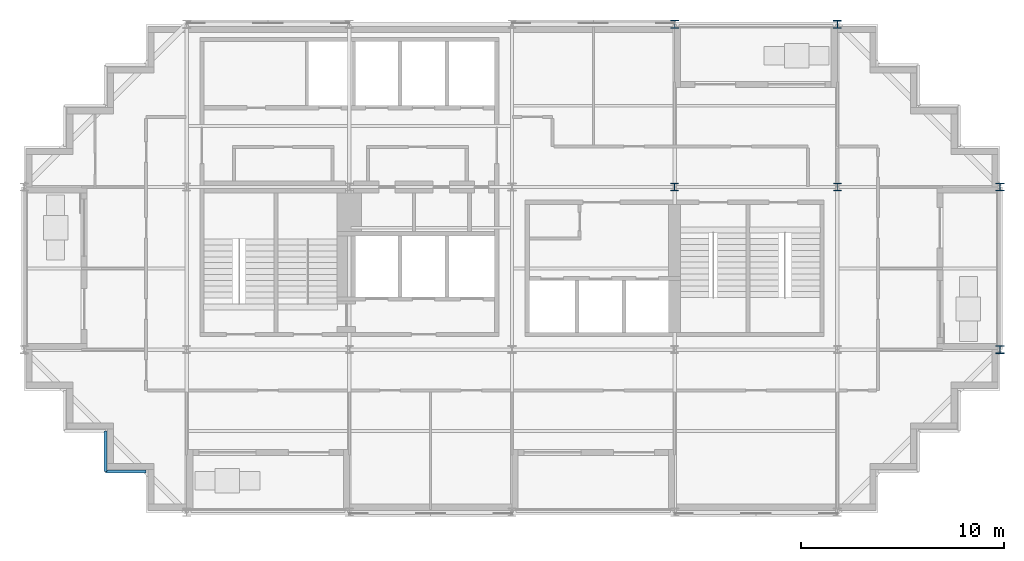
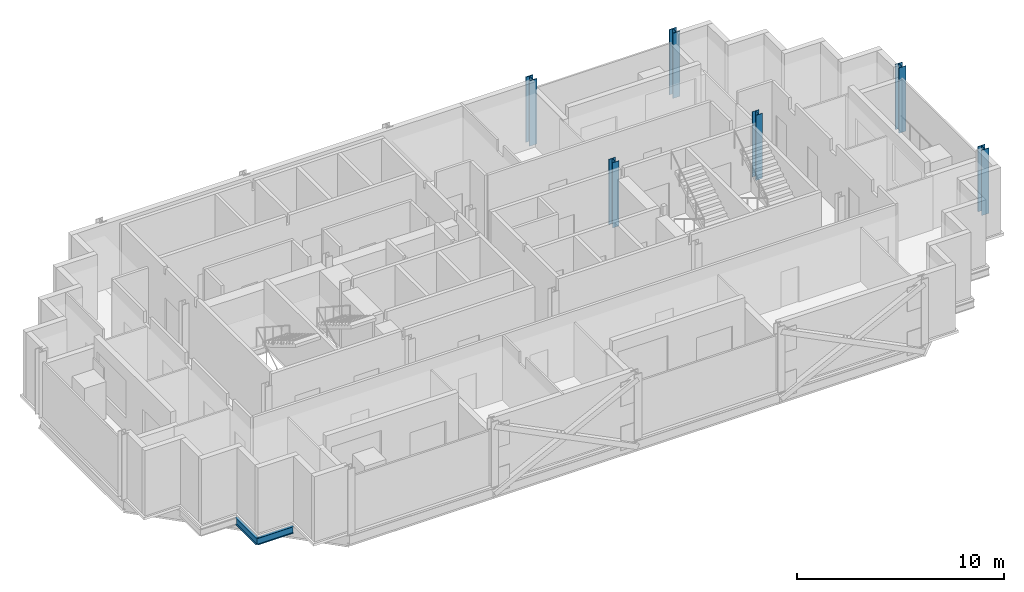
# One storey, part 2 of 10: 6 columns, 2 beams.
"""IFC4 building model written with IfcOpenShell, lengths in metres."""

import ifcopenshell
import ifcopenshell.guid

model = None  # the IFC model being written
_history = None  # IfcOwnerHistory: only IFC2X3 demands one
_inside = {}  # id of a spatial element -> (the spatial element, [elements in it])
_under = {}  # id of a project, library or spatial element -> (it, [spatial elements below it])
_declared = {}  # id of a project -> (the project, [libraries it declares])
_typed = {}  # id of a type object -> (the type object, [elements of that type])
_made_of = {}  # id of a material, layer set ... -> (it, [elements and type objects made of it])


def new_model(schema):
    """Start an empty IFC model of exactly this schema.

    Asked for "IFC4X3", IfcOpenShell would pick the latest addendum, in which some entities
    have other attributes; the version numbers below select the first issue.
    IFC2X3 requires an IfcOwnerHistory on every rooted entity: one is made here for all.
    """
    global model, _history
    if schema == "IFC4X3":
        model = ifcopenshell.file(schema_version=(4, 3, 0, 0))
    else:
        model = ifcopenshell.file(schema=schema)
    _inside.clear()
    _under.clear()
    _declared.clear()
    _typed.clear()
    _made_of.clear()
    _history = None
    if model.schema == "IFC2X3":
        org = make("IfcOrganization", Name="unknown")
        user = make(
            "IfcPersonAndOrganization",
            ThePerson=make("IfcPerson", FamilyName="unknown"),
            TheOrganization=org,
        )
        app = make(
            "IfcApplication",
            ApplicationDeveloper=org,
            Version="unknown",
            ApplicationFullName="unknown",
            ApplicationIdentifier="unknown",
        )
        _history = make(
            "IfcOwnerHistory",
            OwningUser=user,
            OwningApplication=app,
            ChangeAction="ADDED",
            CreationDate=0,
        )
    return model


def make(cls, **values):
    """One entity of the class cls with the attributes given. An attribute that is None is left unset."""
    return model.create_entity(
        cls, **{name: value for name, value in values.items() if value is not None}
    )


def rooted(cls, **values):
    """An entity with a GlobalId (a new one), such as an element, a storey or a relation."""
    return make(cls, GlobalId=ifcopenshell.guid.new(), OwnerHistory=_history, **values)


def si_unit(unit_type, name, prefix=None):
    """IfcSIUnit, for example si_unit("LENGTHUNIT", "METRE", prefix="MILLI")."""
    return make("IfcSIUnit", UnitType=unit_type, Prefix=prefix, Name=name)


def assignment(units):
    """IfcUnitAssignment: the units of a project."""
    return None if units is None else make("IfcUnitAssignment", Units=units)


def point(xyz):
    """IfcCartesianPoint."""
    return None if xyz is None else make("IfcCartesianPoint", Coordinates=xyz)


def direction(xyz):
    """IfcDirection."""
    return None if xyz is None else make("IfcDirection", DirectionRatios=xyz)


def frame(location, z_axis=None, x_axis=None):
    """IfcAxis2Placement3D, a coordinate frame: its origin and axes. An axis left out is left unset."""
    return make(
        "IfcAxis2Placement3D",
        Location=point(location),
        Axis=direction(z_axis),
        RefDirection=direction(x_axis),
    )


def frame_2d(location, x_axis=None):
    """IfcAxis2Placement2D, a coordinate frame in the plane: its origin and x axis."""
    return make(
        "IfcAxis2Placement2D", Location=point(location), RefDirection=direction(x_axis)
    )


def origin():
    """The frame at (0, 0, 0) with its axes left unset."""
    return frame((0.0, 0.0, 0.0))


def origin_2d():
    """The frame at (0, 0) in the plane with its x axis left unset."""
    return frame_2d((0.0, 0.0))


def place(relative_to, where):
    """IfcLocalPlacement: puts the frame where relative to a parent placement (None: the world)."""
    return make(
        "IfcLocalPlacement", PlacementRelTo=relative_to, RelativePlacement=where
    )


def context(
    kind, dimensions, precision=None, world=None, true_north=None, identifier=None
):
    """IfcGeometricRepresentationContext, for example the 3D "Model" context."""
    return make(
        "IfcGeometricRepresentationContext",
        ContextIdentifier=identifier,
        ContextType=kind,
        CoordinateSpaceDimension=dimensions,
        Precision=precision,
        WorldCoordinateSystem=world,
        TrueNorth=true_north,
    )


def subcontext(parent, identifier, kind, view, scale=None):
    """IfcGeometricRepresentationSubContext, for example "Body" below "Model"."""
    return make(
        "IfcGeometricRepresentationSubContext",
        ContextIdentifier=identifier,
        ContextType=kind,
        ParentContext=parent,
        TargetScale=scale,
        TargetView=view,
    )


def project(units=None, contexts=None):
    """IfcProject with its units and contexts."""
    return rooted(
        "IfcProject",
        Name="project",
        RepresentationContexts=contexts,
        UnitsInContext=assignment(units),
    )


def spatial(cls, under=None, at=None, **own):
    """A site, building, storey or space (cls), placed at a placement, below another one or the project."""
    s = rooted(cls, ObjectPlacement=at, **own)
    if under is not None:
        _under.setdefault(under.id(), (under, []))[1].append(s)
    return s


def profile(cls, at=None, kind="AREA", **sizes):
    """A parametric profile (cls). Its sizes go by their IFC names, for example OverallWidth=200.0."""
    return make(cls, ProfileType=kind, Position=at, **sizes)


def i_section(**sizes):
    """IfcIShapeProfileDef."""
    return profile("IfcIShapeProfileDef", **sizes)


def extrude(swept, where, along, depth):
    """IfcExtrudedAreaSolid: the profile swept, set in the frame where, extruded along a direction by depth."""
    return make(
        "IfcExtrudedAreaSolid",
        SweptArea=swept,
        Position=where,
        ExtrudedDirection=direction(along),
        Depth=depth,
    )


def shape(context_of_items, identifier, shape_type, items):
    """IfcShapeRepresentation: the items that make up one representation, for example the "Body"."""
    return make(
        "IfcShapeRepresentation",
        ContextOfItems=context_of_items,
        RepresentationIdentifier=identifier,
        RepresentationType=shape_type,
        Items=items,
    )


def material(Name=None, Category=None):
    """IfcMaterial."""
    return make("IfcMaterial", Name=Name, Category=Category)


def material_profile(
    of_material, cross_section, Name=None, Category=None, Priority=None
):
    """IfcMaterialProfile: a cross section and its material."""
    return make(
        "IfcMaterialProfile",
        Name=Name,
        Material=of_material,
        Profile=cross_section,
        Priority=Priority,
        Category=Category,
    )


def profile_set(profiles, Name=None, composite=None):
    """IfcMaterialProfileSet."""
    return make(
        "IfcMaterialProfileSet",
        Name=Name,
        MaterialProfiles=profiles,
        CompositeProfile=composite,
    )


def made_of(thing, what):
    """Note that an element or type object is made of a material, layer set ...; save() writes the relation."""
    if what is not None:
        _made_of.setdefault(what.id(), (what, []))[1].append(thing)
    return thing


def type_object(cls, material=None, **own):
    """A type object (cls), such as IfcWallType, which elements share."""
    return made_of(rooted(cls, **own), material)


def element(
    cls,
    number,
    at=None,
    inside=None,
    cuts=None,
    type_object=None,
    material=None,
    context=None,
    identifier="Body",
    shape_type=None,
    held_by="IfcProductDefinitionShape",
    body=None,
    shapes=None,
    **own,
):
    """One element of the class cls, such as IfcWall. Its Tag is "e" and its number.

    at: its placement. inside: the storey or other place that contains it. cuts: it is an
    opening in that element (IfcRelVoidsElement). A single representation is given by context,
    identifier, shape_type and body (its items); several are given by shapes. held_by: the class
    of the entity that holds the representations. save() writes the other relations.
    """
    e = rooted(cls, Tag="e%d" % number, ObjectPlacement=at, **own)
    if body is not None:
        shapes = [shape(context, identifier, shape_type, body)]
    if shapes is not None:
        e.Representation = make(held_by, Representations=shapes)
    if inside is not None:
        _inside.setdefault(inside.id(), (inside, []))[1].append(e)
    if cuts is not None:
        rooted(
            "IfcRelVoidsElement", RelatingBuildingElement=cuts, RelatedOpeningElement=e
        )
    if type_object is not None:
        _typed.setdefault(type_object.id(), (type_object, []))[1].append(e)
    return made_of(e, material)


def aggregate(whole, parts):
    """IfcRelAggregates: a whole, such as a stair, and the parts it consists of."""
    return rooted("IfcRelAggregates", RelatingObject=whole, RelatedObjects=parts)


def save(model, path):
    """Write the relations noted so far, then the file.

    IfcRelAggregates (storeys below a building ...), IfcRelContainedInSpatialStructure (elements
    in a storey), IfcRelDefinesByType, IfcRelAssociatesMaterial and IfcRelDeclares: one each for
    every whole, place, type object, material and project.
    """
    for whole, parts in _under.values():
        aggregate(whole, parts)
    for where, things in _inside.values():
        rooted(
            "IfcRelContainedInSpatialStructure",
            RelatedElements=things,
            RelatingStructure=where,
        )
    for kind, things in _typed.values():
        rooted("IfcRelDefinesByType", RelatedObjects=things, RelatingType=kind)
    for what, things in _made_of.values():
        rooted("IfcRelAssociatesMaterial", RelatedObjects=things, RelatingMaterial=what)
    for by, libraries in _declared.values():
        rooted("IfcRelDeclares", RelatingContext=by, RelatedDefinitions=libraries)
    model.write(path)


model = new_model("IFC4")

# Units and contexts
model_context = context("Model", 3, precision=1e-05, world=origin(), true_north=direction((0.0, 1.0)))
body_context = subcontext(model_context, "Body", "Model", "MODEL_VIEW")
ifc_project = project(units=[si_unit("LENGTHUNIT", "METRE"), si_unit("AREAUNIT", "SQUARE_METRE"), si_unit("VOLUMEUNIT", "CUBIC_METRE"), si_unit("PLANEANGLEUNIT", "RADIAN"), si_unit("MASSUNIT", "GRAM", prefix="KILO")], contexts=[model_context])

# Site, building, storey
site_placement = place(None, origin())
site = spatial("IfcSite", under=ifc_project, at=site_placement, CompositionType="ELEMENT")
building_placement = place(site_placement, origin())
building = spatial("IfcBuilding", under=site, at=building_placement, Name="Immortelle Media Tower", CompositionType="ELEMENT")
storey_placement = place(building_placement, frame((0.0, 0.0, 217.0)))
storey = spatial("IfcBuildingStorey", under=building, at=storey_placement, Name="L46", CompositionType="ELEMENT", Elevation=217.0)

# Columns
ifc_material = material(Name="Steel ASTM A992 Gr 50", Category="steel")
ifc_material_profile_1 = material_profile(ifc_material, i_section(OverallWidth=0.373046875, OverallDepth=0.367919921875, WebThickness=0.014892578125, FlangeThickness=0.02392578125, at=origin_2d()), Name="W14x120")
ifc_profile_set_1 = profile_set([ifc_material_profile_1], Name="Steel ASTM A992 Gr 50")
column_type_1 = type_object("IfcColumnType", Name="W14x120 column", PredefinedType="COLUMN", material=ifc_profile_set_1)
for number, where, z_axis, x_axis, name in (
    (1, (32.0, 16.0, 0.0), (0.0, 0.0, 1.0), (1.0, 0.0, 0.0), "Column 5/C"),
    (2, (40.0, 16.0, 0.0), (0.0, 0.0, 1.0), (1.0, 0.0, 0.0), "Column 6/C"),
):
    element("IfcColumn", number, at=place(storey_placement, frame(where, z_axis=z_axis, x_axis=x_axis)), inside=storey, type_object=column_type_1, Name=name, PredefinedType="COLUMN", context=body_context, shape_type="SweptSolid", body=[
        extrude(i_section(OverallWidth=0.373046875, OverallDepth=0.367919921875, WebThickness=0.014892578125, FlangeThickness=0.02392578125, at=origin_2d()), origin(), (0.0, 0.0, 1.0), 3.85009765625),
    ])
ifc_material_profile_2 = material_profile(ifc_material, i_section(OverallWidth=0.39892578125, OverallDepth=0.385986328125, WebThickness=0.02099609375, FlangeThickness=0.032958984375, at=origin_2d()), Name="W14x176")
ifc_profile_set_2 = profile_set([ifc_material_profile_2], Name="Steel ASTM A992 Gr 50")
column_type_2 = type_object("IfcColumnType", Name="W14x176 column", PredefinedType="COLUMN", material=ifc_profile_set_2)
for number, where, z_axis, x_axis, name in (
    (3, (40.0, 24.0, 0.0), (0.0, 0.0, 1.0), (1.0, 0.0, 0.0), "Column 6/D"),
    (4, (48.0, 8.0, 0.0), (0.0, 0.0, 1.0), (1.0, 0.0, 0.0), "Column 7/B"),
    (5, (48.0, 16.0, 0.0), (0.0, 0.0, 1.0), (1.0, 0.0, 0.0), "Column 7/C"),
):
    element("IfcColumn", number, at=place(storey_placement, frame(where, z_axis=z_axis, x_axis=x_axis)), inside=storey, type_object=column_type_2, Name=name, PredefinedType="COLUMN", context=body_context, shape_type="SweptSolid", body=[
        extrude(i_section(OverallWidth=0.39892578125, OverallDepth=0.385986328125, WebThickness=0.02099609375, FlangeThickness=0.032958984375, at=origin_2d()), origin(), (0.0, 0.0, 1.0), 3.85009765625),
    ])
ifc_material_profile_3 = material_profile(ifc_material, i_section(OverallWidth=0.406005859375, OverallDepth=0.4169921875, WebThickness=0.030029296875, FlangeThickness=0.048095703125, at=origin_2d()), Name="W14x257")
ifc_profile_set_3 = profile_set([ifc_material_profile_3], Name="Steel ASTM A992 Gr 50")
column_type_3 = type_object("IfcColumnType", Name="W14x257 column", PredefinedType="COLUMN", material=ifc_profile_set_3)
column_placement = place(storey_placement, frame((32.0, 24.0, 0.0), z_axis=(0.0, 0.0, 1.0), x_axis=(1.0, 0.0, 0.0)))
element("IfcColumn", 6, at=column_placement, inside=storey, type_object=column_type_3, Name="Column 5/D", PredefinedType="COLUMN", context=body_context, shape_type="SweptSolid", body=[
    extrude(i_section(OverallWidth=0.406005859375, OverallDepth=0.4169921875, WebThickness=0.030029296875, FlangeThickness=0.048095703125, at=origin_2d()), origin(), (0.0, 0.0, 1.0), 3.85009765625),
])

# Beams
ifc_material_profile_4 = material_profile(ifc_material, i_section(OverallWidth=0.139892578125, OverallDepth=0.404052734375, WebThickness=0.007080078125, FlangeThickness=0.010986328125, at=origin_2d()), Name="W16x31")
ifc_profile_set_4 = profile_set([ifc_material_profile_4], Name="Steel ASTM A992 Gr 50")
beam_type = type_object("IfcBeamType", Name="W16x31 serration edge beam", PredefinedType="SPANDREL", material=ifc_profile_set_4)
for number, where, z_axis, x_axis, name in (
    (7, (6.0, 2.0, -0.35205078125), (-1.0, 0.0, 0.0), (0.0, -1.0, 0.0), "Corner edge beam 1 at 1/A"),
    (8, (4.0, 2.0, -0.35205078125), (0.0, 1.0, 0.0), (-1.0, 0.0, 0.0), "Corner edge beam 2 at 1/A"),
):
    element("IfcBeam", number, at=place(storey_placement, frame(where, z_axis=z_axis, x_axis=x_axis)), inside=storey, type_object=beam_type, Name=name, PredefinedType="SPANDREL", context=body_context, shape_type="SweptSolid", body=[
        extrude(i_section(OverallWidth=0.139892578125, OverallDepth=0.404052734375, WebThickness=0.007080078125, FlangeThickness=0.010986328125, at=origin_2d()), origin(), (0.0, 0.0, 1.0), 2.0),
    ])

save(model, "model.ifc")
